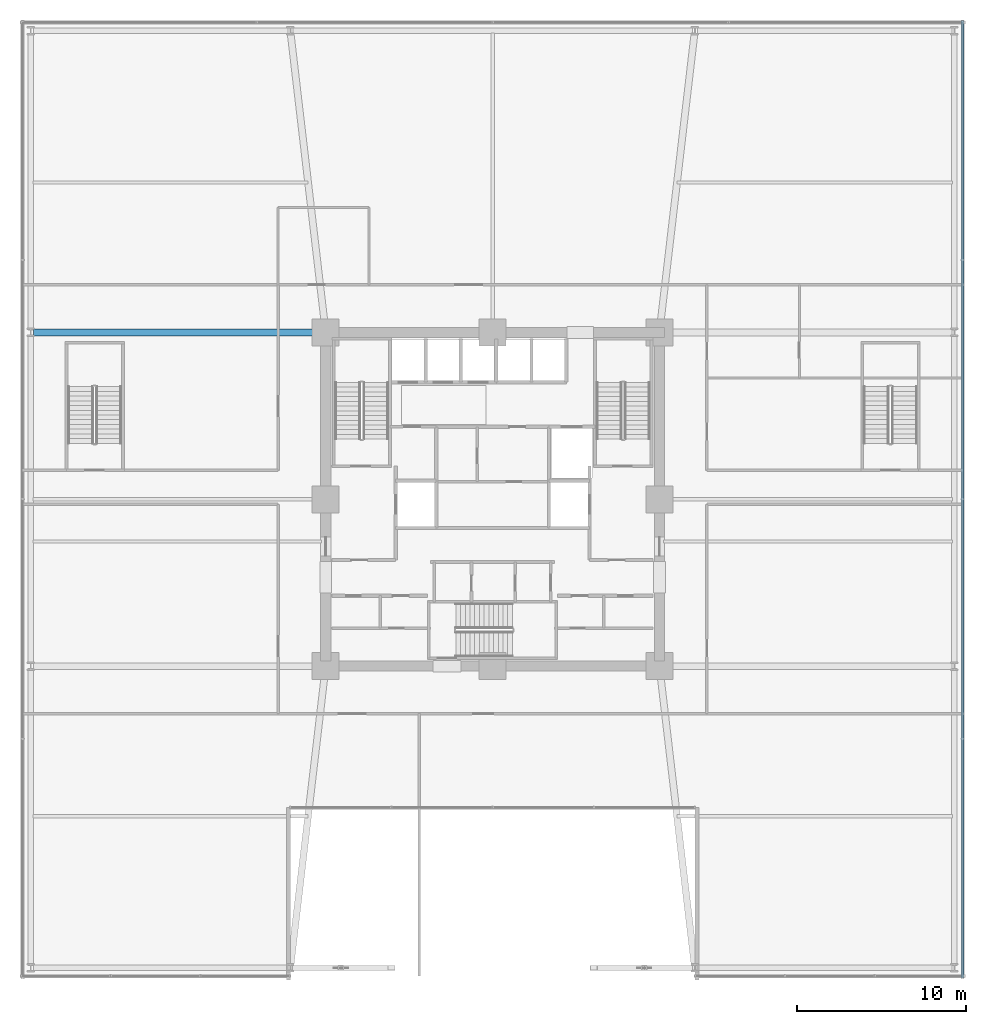
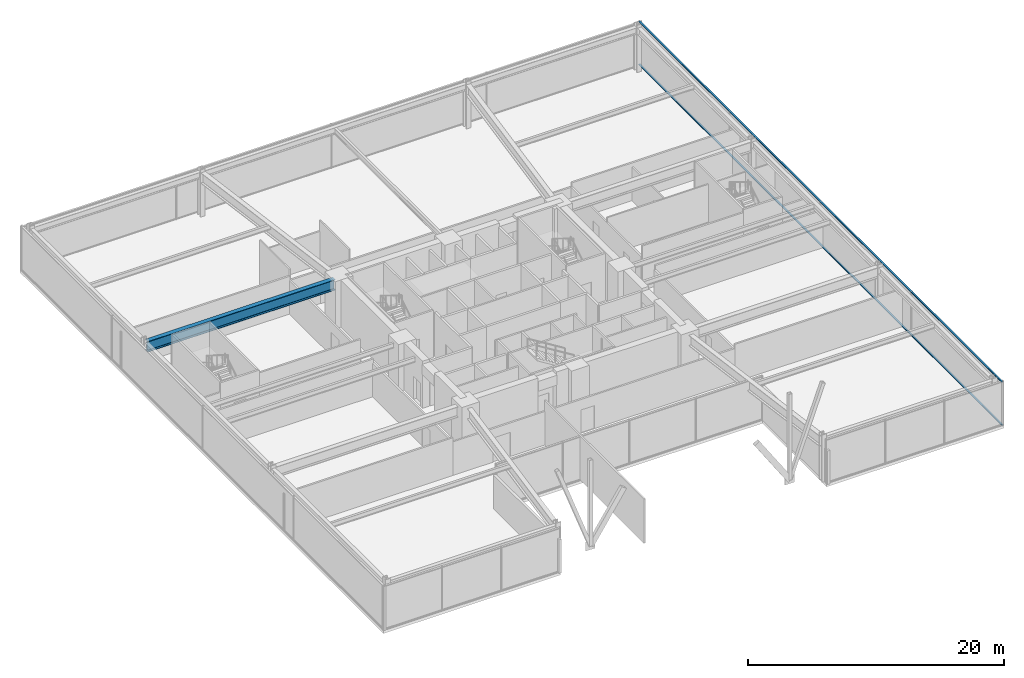
# One storey, part 25 of 47: 2 members, 1 beam, 1 element without a shape of its own.
"""IFC4 building model written with IfcOpenShell, lengths in metres."""

from ifc_helpers import new_model, si_unit, direction, frame, origin, origin_2d, place, context, subcontext, project, spatial, hollow_rectangle, i_section, extrude, material, material_profile, profile_set, type_object, element, aggregate, save


model = new_model("IFC4")

# Units and contexts
model_context = context("Model", 3, precision=1e-05, world=origin(), true_north=direction((0.0, 1.0)))
body_context = subcontext(model_context, "Body", "Model", "MODEL_VIEW")
ifc_project = project(units=[si_unit("LENGTHUNIT", "METRE"), si_unit("AREAUNIT", "SQUARE_METRE"), si_unit("VOLUMEUNIT", "CUBIC_METRE"), si_unit("PLANEANGLEUNIT", "RADIAN"), si_unit("MASSUNIT", "GRAM", prefix="KILO")], contexts=[model_context])

# Site, building, storey
site_placement = place(None, origin())
site = spatial("IfcSite", under=ifc_project, at=site_placement, CompositionType="ELEMENT")
building_placement = place(site_placement, origin())
building = spatial("IfcBuilding", under=site, at=building_placement, Name="Kolvaren Belvedere", CompositionType="ELEMENT")
storey_placement = place(building_placement, frame((0.0, 0.0, 5.5)))
storey = spatial("IfcBuildingStorey", under=building, at=storey_placement, Name="L02", CompositionType="ELEMENT", Elevation=5.5)

# Beam
ifc_material_1 = material(Name="Structural steel ASTM A992 Grade 50", Category="steel")
ifc_material_profile_1 = material_profile(ifc_material_1, i_section(OverallWidth=0.40087890625, OverallDepth=1.010986328125, WebThickness=0.023681640625, FlangeThickness=0.0419921875, FilletRadius=0.030029296875, at=origin_2d()), Name="W40X297")
ifc_profile_set_1 = profile_set([ifc_material_profile_1], Name="Structural steel ASTM A992 Grade 50")
beam_type = type_object("IfcBeamType", Name="BM-BALL-W40X297", PredefinedType="BEAM", material=ifc_profile_set_1)
beam_placement = place(storey_placement, frame((-27.25, 9.89990234375, 3.714599609375), z_axis=(1.0, 0.0, 0.0), x_axis=(0.0, 1.0, 0.0)))
element("IfcBeam", 1, at=beam_placement, inside=storey, type_object=beam_type, Name="L02 West Interior Girder N", PredefinedType="BEAM", context=body_context, shape_type="SweptSolid", body=[
    extrude(i_section(OverallWidth=0.40087890625, OverallDepth=1.010986328125, WebThickness=0.023681640625, FlangeThickness=0.0419921875, FilletRadius=0.030029296875, at=origin_2d()), origin(), (0.0, 0.0, 1.0), 16.89990234375),
])

# Curtain wall, members
ifc_material_2 = material(Name="Anodised pale-metal aluminium AA 6063-T6", Category="aluminium")
curtain_wall_type = type_object("IfcCurtainWallType", Name="CW-POD-A", PredefinedType="NOTDEFINED", material=ifc_material_2)
curtain_wall_placement = place(storey_placement, origin())
curtain_wall = element("IfcCurtainWall", 2, at=curtain_wall_placement, inside=storey, type_object=curtain_wall_type, Name="L02 Unitised Curtain Wall FCW-L02-SEG6", PredefinedType="NOTDEFINED")
ifc_material_3 = material(Name="Anodised pale-metal aluminium AA 6063-T6", Category="aluminium")
ifc_material_profile_2 = material_profile(ifc_material_3, hollow_rectangle(XDim=0.06494140625, YDim=0.159912109375, WallThickness=0.00390625, at=origin_2d()), Name="ALU-TRN-160X65")
ifc_profile_set_2 = profile_set([ifc_material_profile_2], Name="Anodised pale-metal aluminium AA 6063-T6")
member_type = type_object("IfcMemberType", Name="CW-TRN-160", PredefinedType="USERDEFINED", material=ifc_profile_set_2)
member_1_placement = place(storey_placement, frame((27.8798828125, 28.39990234375, 0.06005859375), z_axis=(0.0, -1.0, 0.0), x_axis=(0.0, 0.0, 1.0)))
member_1 = element("IfcMember", 3, at=member_1_placement, type_object=member_type, Name="FCW-L02-SEG6 Sill Transom", ObjectType="TRANSOM", PredefinedType="USERDEFINED", context=body_context, shape_type="SweptSolid", body=[
    extrude(hollow_rectangle(XDim=0.06494140625, YDim=0.159912109375, WallThickness=0.00390625, at=origin_2d()), origin(), (0.0, 0.0, 1.0), 56.7998046875),
])
member_2_placement = place(storey_placement, frame((27.8798828125, 28.39990234375, 4.159912109375), z_axis=(0.0, -1.0, 0.0), x_axis=(0.0, 0.0, 1.0)))
member_2 = element("IfcMember", 4, at=member_2_placement, type_object=member_type, Name="FCW-L02-SEG6 Head Transom", ObjectType="TRANSOM", PredefinedType="USERDEFINED", context=body_context, shape_type="SweptSolid", body=[
    extrude(hollow_rectangle(XDim=0.06494140625, YDim=0.159912109375, WallThickness=0.00390625, at=origin_2d()), origin(), (0.0, 0.0, 1.0), 56.7998046875),
])
aggregate(curtain_wall, [member_1, member_2])

save(model, "model.ifc")
